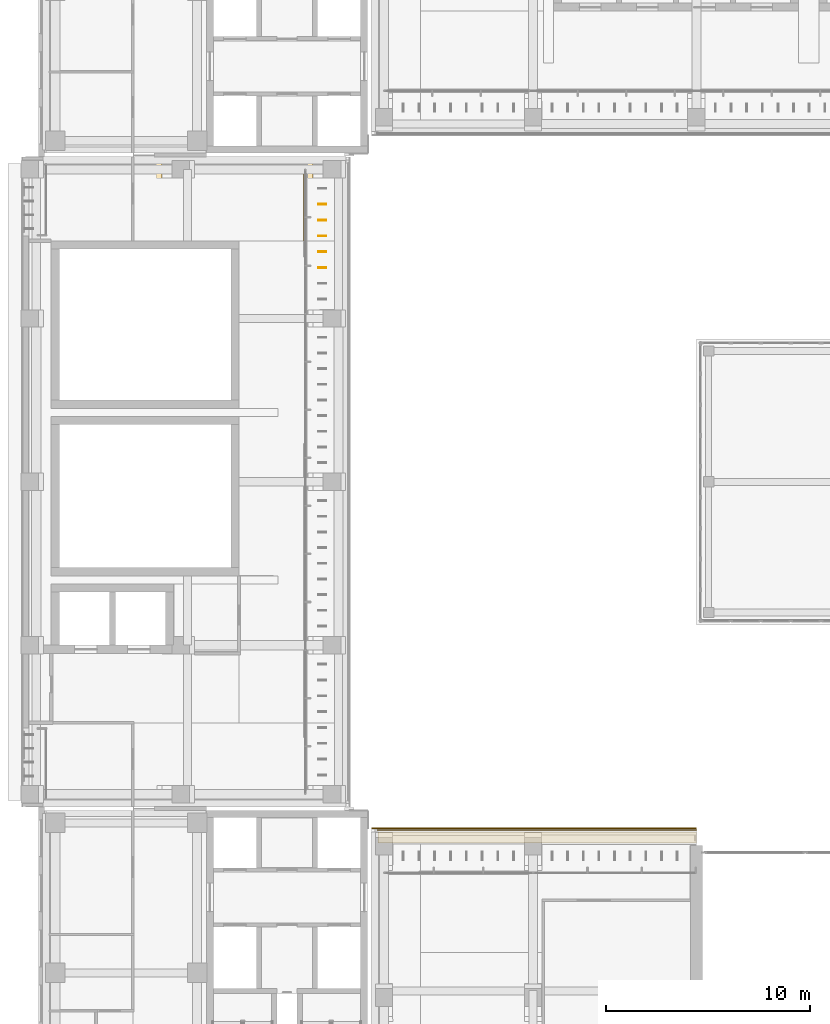
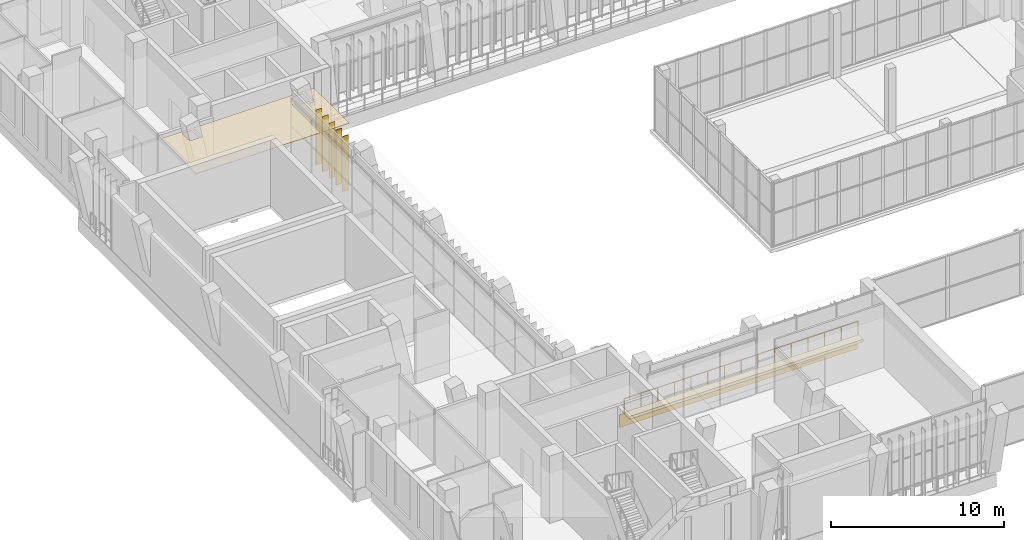
# One storey, part 80 of 92: 5 shading devices, 3 coverings, 1 railing.
"""IFC4 building model written with IfcOpenShell, lengths in metres."""

from ifc_helpers import new_model, si_unit, direction, frame, frame_2d, origin, origin_2d, place, context, subcontext, project, spatial, polyline, rectangle, circle, outline, extrude, material, layer, layer_set, type_object, element, save


model = new_model("IFC4")

# Units and contexts
model_context = context("Model", 3, precision=1e-05, world=origin(), true_north=direction((0.0, 1.0)))
body_context = subcontext(model_context, "Body", "Model", "MODEL_VIEW")
ifc_project = project(units=[si_unit("LENGTHUNIT", "METRE"), si_unit("AREAUNIT", "SQUARE_METRE"), si_unit("VOLUMEUNIT", "CUBIC_METRE"), si_unit("PLANEANGLEUNIT", "RADIAN"), si_unit("MASSUNIT", "GRAM", prefix="KILO")], contexts=[model_context])

# Site, building, storey
site_placement = place(None, origin())
site = spatial("IfcSite", under=ifc_project, at=site_placement, CompositionType="ELEMENT")
building_placement = place(site_placement, origin())
building = spatial("IfcBuilding", under=site, at=building_placement, Name="Lantern Court Media Centre", CompositionType="ELEMENT")
storey_placement = place(building_placement, frame((0.0, 0.0, 4.800048828125)))
storey = spatial("IfcBuildingStorey", under=building, at=storey_placement, Name="L01", CompositionType="ELEMENT", Elevation=4.800048828125)

# Covering
ifc_material_1 = material(Name="White glass-fibre reinforced cement cladding", Category="concrete")
ifc_layer_1 = layer(ifc_material_1, 0.050048828125)
ifc_layer_set_1 = layer_set([ifc_layer_1], Name="White glass-fibre reinforced cement cladding")
covering_type_1 = type_object("IfcCoveringType", Name="Floor-edge band 50", PredefinedType="CLADDING", material=ifc_layer_set_1)
covering_1_placement = place(storey_placement, frame((24.10009765625, 63.02490234375, -0.900146484375), z_axis=(0.0, 0.0, 1.0), x_axis=(1.0, 0.0, 0.0)))
element("IfcCovering", 1, at=covering_1_placement, inside=storey, type_object=covering_type_1, Name="Floor-edge band S inner L01", PredefinedType="CLADDING", context=body_context, shape_type="SweptSolid", body=[
    extrude(rectangle(XDim=15.89990234375, YDim=0.050048828125, at=frame_2d((7.949951171875, 0.0))), origin(), (0.0, 0.0, 1.0), 0.900146484375),
])

# Railing
ifc_material_2 = material(Name="Painted mild steel balustrade", Category="steel")
railing_type = type_object("IfcRailingType", Name="Guard 1100 steel balustrade", PredefinedType="GUARDRAIL", material=ifc_material_2)
railing_placement = place(storey_placement, frame((24.39990234375, 62.949951171875, 0.0)))
element("IfcRailing", 2, at=railing_placement, inside=storey, type_object=railing_type, Name="Ledge guard S L01", PredefinedType="GUARDRAIL", context=body_context, shape_type="SweptSolid", body=[
    extrude(circle(Radius=0.02392578125, at=origin_2d()), frame((0.0, 0.0, 1.076171875), z_axis=(1.0, 0.0, 0.0), x_axis=(0.0, 1.0, 0.0)), (0.0, 0.0, 1.0), 15.60009765625),
    extrude(circle(Radius=0.02099609375, at=origin_2d()), origin(), (0.0, 0.0, 1.0), 1.052001953125),
    extrude(circle(Radius=0.02099609375, at=origin_2d()), frame((1.1142578125, 0.0, 0.0)), (0.0, 0.0, 1.0), 1.052001953125),
    extrude(circle(Radius=0.02099609375, at=origin_2d()), frame((2.228515625, 0.0, 0.0)), (0.0, 0.0, 1.0), 1.052001953125),
    extrude(circle(Radius=0.02099609375, at=origin_2d()), frame((3.3427734375, 0.0, 0.0)), (0.0, 0.0, 1.0), 1.052001953125),
    extrude(circle(Radius=0.02099609375, at=origin_2d()), frame((4.457275390625, 0.0, 0.0)), (0.0, 0.0, 1.0), 1.052001953125),
    extrude(circle(Radius=0.02099609375, at=origin_2d()), frame((5.571533203125, 0.0, 0.0)), (0.0, 0.0, 1.0), 1.052001953125),
    extrude(circle(Radius=0.02099609375, at=origin_2d()), frame((6.685791015625, 0.0, 0.0)), (0.0, 0.0, 1.0), 1.052001953125),
    extrude(circle(Radius=0.02099609375, at=origin_2d()), frame((7.800048828125, 0.0, 0.0)), (0.0, 0.0, 1.0), 1.052001953125),
    extrude(circle(Radius=0.02099609375, at=origin_2d()), frame((8.914306640625, 0.0, 0.0)), (0.0, 0.0, 1.0), 1.052001953125),
    extrude(circle(Radius=0.02099609375, at=origin_2d()), frame((10.028564453125, 0.0, 0.0)), (0.0, 0.0, 1.0), 1.052001953125),
    extrude(circle(Radius=0.02099609375, at=origin_2d()), frame((11.142822265625, 0.0, 0.0)), (0.0, 0.0, 1.0), 1.052001953125),
    extrude(circle(Radius=0.02099609375, at=origin_2d()), frame((12.25732421875, 0.0, 0.0)), (0.0, 0.0, 1.0), 1.052001953125),
    extrude(circle(Radius=0.02099609375, at=origin_2d()), frame((13.37158203125, 0.0, 0.0)), (0.0, 0.0, 1.0), 1.052001953125),
    extrude(circle(Radius=0.02099609375, at=origin_2d()), frame((14.48583984375, 0.0, 0.0)), (0.0, 0.0, 1.0), 1.052001953125),
    extrude(circle(Radius=0.02099609375, at=origin_2d()), frame((15.60009765625, 0.0, 0.0)), (0.0, 0.0, 1.0), 1.052001953125),
])

# Coverings
ifc_material_3 = material(Name="Planting substrate")
ifc_layer_2 = layer(ifc_material_3, 0.199951171875)
ifc_layer_set_2 = layer_set([ifc_layer_2], Name="Planting substrate")
covering_type_2 = type_object("IfcCoveringType", Name="Planted ledge build-up 200", PredefinedType="ROOFING", material=ifc_layer_set_2)
covering_2_placement = place(storey_placement, origin())
element("IfcCovering", 3, at=covering_2_placement, inside=storey, type_object=covering_type_2, Name="Planted ledge S L01", PredefinedType="ROOFING", context=body_context, shape_type="SweptSolid", body=[
    extrude(outline(polyline([(24.39990234375, 62.85009765625), (40.0, 62.85009765625), (40.0, 62.320068359375), (24.39990234375, 62.320068359375), (24.39990234375, 62.85009765625)])), origin(), (0.0, 0.0, 1.0), 0.199951171875),
])
ifc_material_4 = material(Name="Mineral fibre ceiling tile")
ifc_layer_3 = layer(ifc_material_4, 0.02001953125)
ifc_layer_set_3 = layer_set([ifc_layer_3], Name="Mineral fibre ceiling tile")
covering_type_3 = type_object("IfcCoveringType", Name="Suspended ceiling tile", PredefinedType="CEILING", material=ifc_layer_set_3)
covering_3_placement = place(storey_placement, frame((0.0, 0.0, 3.599853515625)))
element("IfcCovering", 4, at=covering_3_placement, inside=storey, type_object=covering_type_3, Name="End Lobby ceiling", PredefinedType="CEILING", context=body_context, shape_type="SweptSolid", body=[
    extrude(outline(polyline([(12.39990234375, 91.804443359375), (12.462890625, 91.804931640625), (12.462890625, 95.8994140625), (22.699951171875, 95.89990234375), (22.699951171875, 91.800048828125), (20.925537109375, 91.800048828125), (20.925048828125, 95.1005859375), (20.7744140625, 95.10009765625), (20.7744140625, 91.800048828125), (12.39990234375, 91.804443359375)]), holes=[polyline([(22.072998046875, 94.87451171875), (22.073486328125, 95.72509765625), (21.974853515625, 95.7255859375), (21.974609375, 94.875), (22.072998046875, 94.87451171875)]), polyline([(21.825439453125, 95.72509765625), (21.222412109375, 95.725341796875), (21.22265625, 94.87451171875), (21.825439453125, 94.874755859375), (21.825439453125, 95.72509765625)]), polyline([(14.6728515625, 94.87451171875), (14.67333984375, 95.72509765625), (14.574951171875, 95.7255859375), (14.574462890625, 94.875), (14.6728515625, 94.87451171875)]), polyline([(14.425537109375, 95.72509765625), (13.822509765625, 95.725341796875), (13.82275390625, 94.87451171875), (14.425537109375, 94.874755859375), (14.425537109375, 95.72509765625)])]), origin(), (0.0, 0.0, 1.0), 0.02001953125),
])

# Shading devices
ifc_material_5 = material(Name="Bronze anodised aluminium louvre", Category="aluminium")
ifc_layer_4 = layer(ifc_material_5, 0.0400390625)
ifc_layer_set_4 = layer_set([ifc_layer_4], Name="Bronze anodised aluminium louvre")
shading_device_type = type_object("IfcShadingDeviceType", Name="Vertical louvre 40x400 under beam", PredefinedType="USERDEFINED", material=ifc_layer_set_4)
for number, where, z_axis, x_axis, name in (
    (5, (21.679931640625, 90.487548828125, 0.0), (0.0, 0.0, 1.0), (1.0, 0.0, 0.0), "Vertical louvre W inner L01"),
    (6, (21.679931640625, 91.262451171875, 0.0), (0.0, 0.0, 1.0), (1.0, 0.0, 0.0), "Vertical louvre W inner L01"),
    (7, (21.679931640625, 92.03759765625, 0.0), (0.0, 0.0, 1.0), (1.0, 0.0, 0.0), "Vertical louvre W inner L01"),
    (8, (21.679931640625, 92.8125, 0.0), (0.0, 0.0, 1.0), (1.0, 0.0, 0.0), "Vertical louvre W inner L01"),
    (9, (21.679931640625, 93.58740234375, 0.0), (0.0, 0.0, 1.0), (1.0, 0.0, 0.0), "Vertical louvre W inner L01"),
):
    element("IfcShadingDevice", number, at=place(storey_placement, frame(where, z_axis=z_axis, x_axis=x_axis)), inside=storey, type_object=shading_device_type, Name=name, ObjectType="VERTICAL LOUVRE", PredefinedType="USERDEFINED", context=body_context, shape_type="SweptSolid", body=[
        extrude(rectangle(XDim=0.39990234375, YDim=0.0400390625, at=origin_2d()), origin(), (0.0, 0.0, 1.0), 3.89990234375),
    ])

save(model, "model.ifc")
